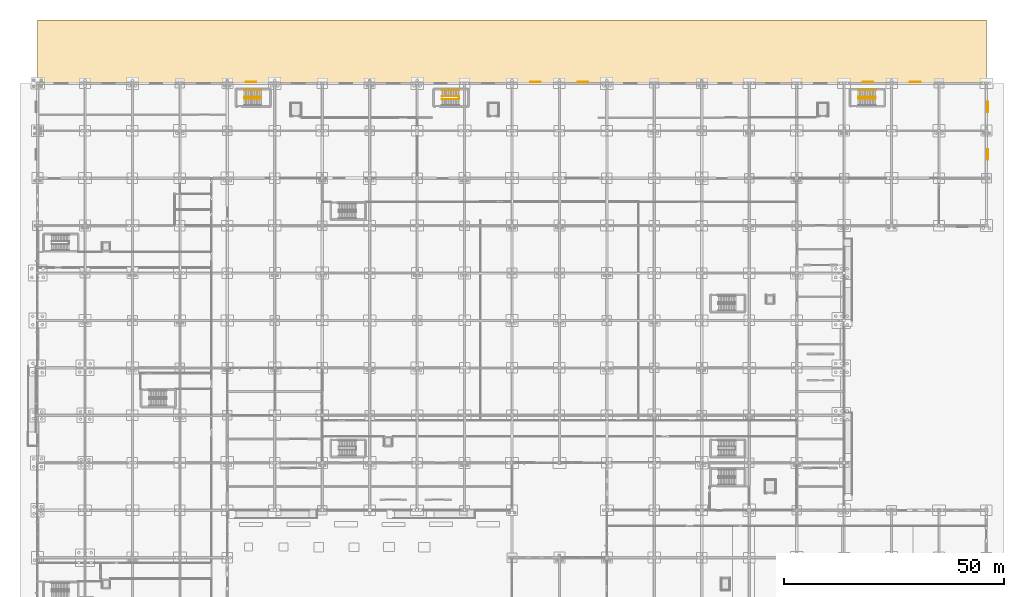
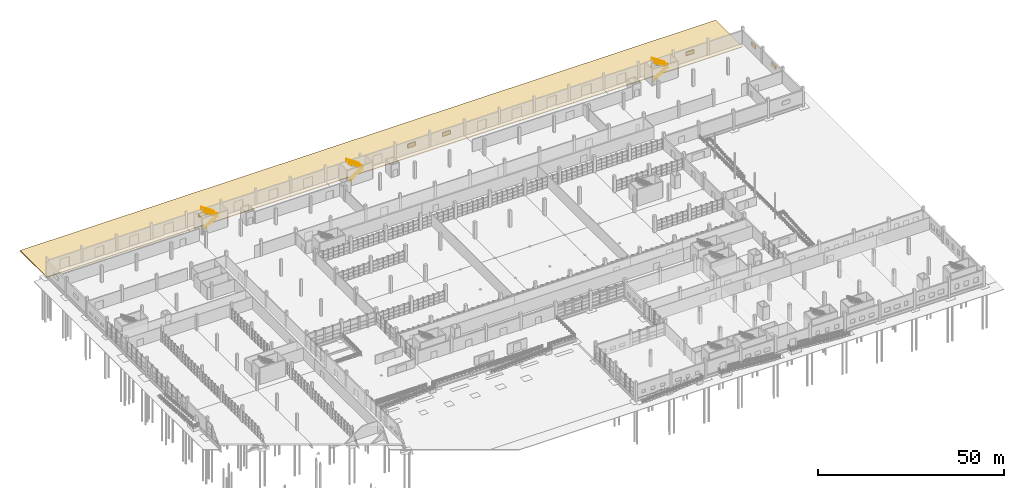
# One storey, part 137 of 138: 7 shading devices, 6 railings, 1 covering.
"""IFC4 building model written with IfcOpenShell, lengths in metres."""

from ifc_helpers import new_model, si_unit, direction, frame, origin, origin_2d, place, context, subcontext, project, spatial, polyline, rectangle, circle, outline, extrude, material, layer, layer_set, type_object, element, save


model = new_model("IFC4")

# Units and contexts
model_context = context("Model", 3, precision=1e-05, world=origin(), true_north=direction((0.0, 1.0)))
body_context = subcontext(model_context, "Body", "Model", "MODEL_VIEW")
ifc_project = project(units=[si_unit("LENGTHUNIT", "METRE"), si_unit("AREAUNIT", "SQUARE_METRE"), si_unit("VOLUMEUNIT", "CUBIC_METRE"), si_unit("PLANEANGLEUNIT", "RADIAN"), si_unit("MASSUNIT", "GRAM", prefix="KILO")], contexts=[model_context])

# Site, building, storey
site_placement = place(None, origin())
site = spatial("IfcSite", under=ifc_project, at=site_placement, CompositionType="ELEMENT")
building_placement = place(site_placement, origin())
building = spatial("IfcBuilding", under=site, at=building_placement, Name="Zwinboog Wholesale Market", CompositionType="ELEMENT")
storey_placement = place(building_placement, origin())
storey = spatial("IfcBuildingStorey", under=building, at=storey_placement, Name="L00", CompositionType="ELEMENT", Elevation=0.0)

# Shading devices
ifc_material_1 = material(Name="Western red cedar timber", Category="wood")
shading_device_type = type_object("IfcShadingDeviceType", Name="SHD-LVR-CEDAR", PredefinedType="JALOUSIE", material=ifc_material_1)
for number, where, z_axis, x_axis, name in (
    (1, (48.60009765625, 129.907470703125, 1.7001953125), (0.0, 0.0, 1.0), (1.0, 0.0, 0.0), "LV-01 (SHD-LVR-03)"),
    (2, (113.39990234375, 129.907470703125, 1.7001953125), (0.0, 0.0, 1.0), (1.0, 0.0, 0.0), "LV-01 (SHD-LVR-04)"),
    (3, (124.199951171875, 129.907470703125, 1.7001953125), (0.0, 0.0, 1.0), (1.0, 0.0, 0.0), "LV-01 (SHD-LVR-05)"),
    (4, (189.0, 129.907470703125, 1.7001953125), (0.0, 0.0, 1.0), (1.0, 0.0, 0.0), "LV-01 (SHD-LVR-06)"),
    (5, (199.800048828125, 129.907470703125, 1.7001953125), (0.0, 0.0, 1.0), (1.0, 0.0, 0.0), "LV-01 (SHD-LVR-07)"),
    (6, (216.3076171875, 113.39990234375, 1.7001953125), (0.0, 0.0, 1.0), (0.0, 1.0, 0.0), "LV-01 (SHD-LVR-09)"),
    (7, (216.3076171875, 124.199951171875, 1.7001953125), (0.0, 0.0, 1.0), (0.0, 1.0, 0.0), "LV-01 (SHD-LVR-10)"),
):
    element("IfcShadingDevice", number, at=place(storey_placement, frame(where, z_axis=z_axis, x_axis=x_axis)), inside=storey, type_object=shading_device_type, Name=name, PredefinedType="JALOUSIE", context=body_context, shape_type="SweptSolid", body=[
        extrude(rectangle(XDim=2.39990234375, YDim=0.179931640625, at=origin_2d()), origin(), (0.0, 0.0, 1.0), 1.199951171875),
    ])

# Covering
ifc_material_2 = material(Name="Concrete C35/45", Category="concrete")
ifc_layer = layer(ifc_material_2, 0.219970703125)
ifc_layer_set = layer_set([ifc_layer], Name="Concrete C35/45")
covering_type = type_object("IfcCoveringType", Name="COV-YARD-PAVE", PredefinedType="FLOORING", material=ifc_layer_set)
covering_placement = place(storey_placement, frame((0.0, 0.0, -1.419921875)))
element("IfcCovering", 8, at=covering_placement, inside=storey, type_object=covering_type, Name="North HGV Truck Turning and Dock Apron", PredefinedType="FLOORING", context=body_context, shape_type="SweptSolid", body=[
    extrude(outline(polyline([(0.0, 129.60009765625), (216.0, 129.60009765625), (216.0, 144.0), (0.0, 144.0), (0.0, 129.60009765625)])), origin(), (0.0, 0.0, 1.0), 0.219970703125),
])

# Railings
ifc_material_3 = material(Name="Steel S355", Category="steel")
railing_type_1 = type_object("IfcRailingType", Name="RLT-INT-GUARD", PredefinedType="BALUSTRADE", material=ifc_material_3)
railing_1_placement = place(storey_placement, frame((47.02001953125, 126.06005859375, 0.179931640625)))
element("IfcRailing", 9, at=railing_1_placement, inside=storey, type_object=railing_type_1, Name="GR-02 (RLG-ST-03-G1)", PredefinedType="BALUSTRADE", context=body_context, shape_type="SweptSolid", body=[
    extrude(circle(Radius=0.02392578125, at=origin_2d()), frame((0.0, 0.0, 1.09619140625), z_axis=(0.841171666519, 0.0, 0.540768182723), x_axis=(0.0, 1.0, 0.0)), (0.0, 0.0, 1.0), 4.66015625),
    extrude(circle(Radius=0.02392578125, at=origin_2d()), frame((0.0, 0.0, 0.5361328125), z_axis=(0.841171666519, 0.0, 0.540768182723), x_axis=(0.0, 1.0, 0.0)), (0.0, 0.0, 1.0), 4.66015625),
    extrude(circle(Radius=0.02392578125, at=origin_2d()), frame((3.919921875, 0.0, 3.6162109375), z_axis=(0.0, 1.0, 0.0), x_axis=(-1.0, 0.0, 0.0)), (0.0, 0.0, 1.0), 0.47998046875),
    extrude(circle(Radius=0.02392578125, at=origin_2d()), frame((3.919921875, 0.0, 3.05615234375), z_axis=(0.0, 1.0, 0.0), x_axis=(-1.0, 0.0, 0.0)), (0.0, 0.0, 1.0), 0.47998046875),
    extrude(circle(Radius=0.02392578125, at=origin_2d()), frame((3.919921875, 0.47998046875, 3.6162109375), z_axis=(-0.823550731654, 0.0, 0.567242622158), x_axis=(0.0, -1.0, 0.0)), (0.0, 0.0, 1.0), 4.759765625),
    extrude(circle(Radius=0.02392578125, at=origin_2d()), frame((3.919921875, 0.47998046875, 3.05615234375), z_axis=(-0.823550731654, 0.0, 0.567242622158), x_axis=(0.0, -1.0, 0.0)), (0.0, 0.0, 1.0), 4.759765625),
    extrude(circle(Radius=0.02099609375, at=origin_2d()), origin(), (0.0, 0.0, 1.0), 1.072021484375),
    extrude(circle(Radius=0.02099609375, at=origin_2d()), frame((0.783935546875, 0.0, 0.50390625)), (0.0, 0.0, 1.0), 1.072021484375),
    extrude(circle(Radius=0.02099609375, at=origin_2d()), frame((1.56787109375, 0.0, 1.008056640625)), (0.0, 0.0, 1.0), 1.072021484375),
    extrude(circle(Radius=0.02099609375, at=origin_2d()), frame((2.35205078125, 0.0, 1.511962890625)), (0.0, 0.0, 1.0), 1.072021484375),
    extrude(circle(Radius=0.02099609375, at=origin_2d()), frame((3.135986328125, 0.0, 2.01611328125)), (0.0, 0.0, 1.0), 1.072021484375),
    extrude(circle(Radius=0.02099609375, at=origin_2d()), frame((3.919921875, 0.0, 2.52001953125)), (0.0, 0.0, 1.0), 1.072021484375),
    extrude(circle(Radius=0.02099609375, at=origin_2d()), frame((3.919921875, 0.47998046875, 2.52001953125)), (0.0, 0.0, 1.0), 1.072021484375),
    extrude(circle(Radius=0.02099609375, at=origin_2d()), frame((3.135986328125, 0.47998046875, 3.06005859375)), (0.0, 0.0, 1.0), 1.072021484375),
    extrude(circle(Radius=0.02099609375, at=origin_2d()), frame((2.35205078125, 0.47998046875, 3.60009765625)), (0.0, 0.0, 1.0), 1.072021484375),
    extrude(circle(Radius=0.02099609375, at=origin_2d()), frame((1.56787109375, 0.47998046875, 4.139892578125)), (0.0, 0.0, 1.0), 1.072021484375),
    extrude(circle(Radius=0.02099609375, at=origin_2d()), frame((0.783935546875, 0.47998046875, 4.679931640625)), (0.0, 0.0, 1.0), 1.072021484375),
    extrude(circle(Radius=0.02099609375, at=origin_2d()), frame((0.0, 0.47998046875, 5.219970703125)), (0.0, 0.0, 1.0), 1.072021484375),
])
railing_2_placement = place(storey_placement, frame((92.02001953125, 125.9599609375, 0.179931640625)))
element("IfcRailing", 10, at=railing_2_placement, inside=storey, type_object=railing_type_1, Name="GR-02 (RLG-ST-04-G1)", PredefinedType="BALUSTRADE", context=body_context, shape_type="SweptSolid", body=[
    extrude(circle(Radius=0.02392578125, at=origin_2d()), frame((0.0, 0.0, 1.09619140625), z_axis=(0.841171666519, 0.0, 0.540768182723), x_axis=(0.0, 1.0, 0.0)), (0.0, 0.0, 1.0), 4.66015625),
    extrude(circle(Radius=0.02392578125, at=origin_2d()), frame((0.0, 0.0, 0.5361328125), z_axis=(0.841171666519, 0.0, 0.540768182723), x_axis=(0.0, 1.0, 0.0)), (0.0, 0.0, 1.0), 4.66015625),
    extrude(circle(Radius=0.02392578125, at=origin_2d()), frame((3.919921875, 0.0, 3.6162109375), z_axis=(0.0, 1.0, 0.0), x_axis=(-1.0, 0.0, 0.0)), (0.0, 0.0, 1.0), 0.679931640625),
    extrude(circle(Radius=0.02392578125, at=origin_2d()), frame((3.919921875, 0.0, 3.05615234375), z_axis=(0.0, 1.0, 0.0), x_axis=(-1.0, 0.0, 0.0)), (0.0, 0.0, 1.0), 0.679931640625),
    extrude(circle(Radius=0.02392578125, at=origin_2d()), frame((3.919921875, 0.679931640625, 3.6162109375), z_axis=(-0.823550731654, 0.0, 0.567242622158), x_axis=(0.0, -1.0, 0.0)), (0.0, 0.0, 1.0), 4.759765625),
    extrude(circle(Radius=0.02392578125, at=origin_2d()), frame((3.919921875, 0.679931640625, 3.05615234375), z_axis=(-0.823550731654, 0.0, 0.567242622158), x_axis=(0.0, -1.0, 0.0)), (0.0, 0.0, 1.0), 4.759765625),
    extrude(circle(Radius=0.02099609375, at=origin_2d()), origin(), (0.0, 0.0, 1.0), 1.072021484375),
    extrude(circle(Radius=0.02099609375, at=origin_2d()), frame((0.783935546875, 0.0, 0.50390625)), (0.0, 0.0, 1.0), 1.072021484375),
    extrude(circle(Radius=0.02099609375, at=origin_2d()), frame((1.56787109375, 0.0, 1.008056640625)), (0.0, 0.0, 1.0), 1.072021484375),
    extrude(circle(Radius=0.02099609375, at=origin_2d()), frame((2.35205078125, 0.0, 1.511962890625)), (0.0, 0.0, 1.0), 1.072021484375),
    extrude(circle(Radius=0.02099609375, at=origin_2d()), frame((3.135986328125, 0.0, 2.01611328125)), (0.0, 0.0, 1.0), 1.072021484375),
    extrude(circle(Radius=0.02099609375, at=origin_2d()), frame((3.919921875, 0.0, 2.52001953125)), (0.0, 0.0, 1.0), 1.072021484375),
    extrude(circle(Radius=0.02099609375, at=origin_2d()), frame((3.919921875, 0.679931640625, 2.52001953125)), (0.0, 0.0, 1.0), 1.072021484375),
    extrude(circle(Radius=0.02099609375, at=origin_2d()), frame((3.135986328125, 0.679931640625, 3.06005859375)), (0.0, 0.0, 1.0), 1.072021484375),
    extrude(circle(Radius=0.02099609375, at=origin_2d()), frame((2.35205078125, 0.679931640625, 3.60009765625)), (0.0, 0.0, 1.0), 1.072021484375),
    extrude(circle(Radius=0.02099609375, at=origin_2d()), frame((1.56787109375, 0.679931640625, 4.139892578125)), (0.0, 0.0, 1.0), 1.072021484375),
    extrude(circle(Radius=0.02099609375, at=origin_2d()), frame((0.783935546875, 0.679931640625, 4.679931640625)), (0.0, 0.0, 1.0), 1.072021484375),
    extrude(circle(Radius=0.02099609375, at=origin_2d()), frame((0.0, 0.679931640625, 5.219970703125)), (0.0, 0.0, 1.0), 1.072021484375),
])
railing_3_placement = place(storey_placement, frame((186.820068359375, 126.06005859375, 0.179931640625)))
element("IfcRailing", 11, at=railing_3_placement, inside=storey, type_object=railing_type_1, Name="GR-02 (RLG-ST-05-G1)", PredefinedType="BALUSTRADE", context=body_context, shape_type="SweptSolid", body=[
    extrude(circle(Radius=0.02392578125, at=origin_2d()), frame((0.0, 0.0, 1.09619140625), z_axis=(0.841171666519, 0.0, 0.540768182723), x_axis=(0.0, 1.0, 0.0)), (0.0, 0.0, 1.0), 4.66015625),
    extrude(circle(Radius=0.02392578125, at=origin_2d()), frame((0.0, 0.0, 0.5361328125), z_axis=(0.841171666519, 0.0, 0.540768182723), x_axis=(0.0, 1.0, 0.0)), (0.0, 0.0, 1.0), 4.66015625),
    extrude(circle(Radius=0.02392578125, at=origin_2d()), frame((3.919921875, 0.0, 3.6162109375), z_axis=(0.0, 1.0, 0.0), x_axis=(-1.0, 0.0, 0.0)), (0.0, 0.0, 1.0), 0.47998046875),
    extrude(circle(Radius=0.02392578125, at=origin_2d()), frame((3.919921875, 0.0, 3.05615234375), z_axis=(0.0, 1.0, 0.0), x_axis=(-1.0, 0.0, 0.0)), (0.0, 0.0, 1.0), 0.47998046875),
    extrude(circle(Radius=0.02392578125, at=origin_2d()), frame((3.919921875, 0.47998046875, 3.6162109375), z_axis=(-0.823550731654, 0.0, 0.567242622158), x_axis=(0.0, -1.0, 0.0)), (0.0, 0.0, 1.0), 4.759765625),
    extrude(circle(Radius=0.02392578125, at=origin_2d()), frame((3.919921875, 0.47998046875, 3.05615234375), z_axis=(-0.823550731654, 0.0, 0.567242622158), x_axis=(0.0, -1.0, 0.0)), (0.0, 0.0, 1.0), 4.759765625),
    extrude(circle(Radius=0.02099609375, at=origin_2d()), origin(), (0.0, 0.0, 1.0), 1.072021484375),
    extrude(circle(Radius=0.02099609375, at=origin_2d()), frame((0.783935546875, 0.0, 0.50390625)), (0.0, 0.0, 1.0), 1.072021484375),
    extrude(circle(Radius=0.02099609375, at=origin_2d()), frame((1.56787109375, 0.0, 1.008056640625)), (0.0, 0.0, 1.0), 1.072021484375),
    extrude(circle(Radius=0.02099609375, at=origin_2d()), frame((2.35205078125, 0.0, 1.511962890625)), (0.0, 0.0, 1.0), 1.072021484375),
    extrude(circle(Radius=0.02099609375, at=origin_2d()), frame((3.135986328125, 0.0, 2.01611328125)), (0.0, 0.0, 1.0), 1.072021484375),
    extrude(circle(Radius=0.02099609375, at=origin_2d()), frame((3.919921875, 0.0, 2.52001953125)), (0.0, 0.0, 1.0), 1.072021484375),
    extrude(circle(Radius=0.02099609375, at=origin_2d()), frame((3.919921875, 0.47998046875, 2.52001953125)), (0.0, 0.0, 1.0), 1.072021484375),
    extrude(circle(Radius=0.02099609375, at=origin_2d()), frame((3.135986328125, 0.47998046875, 3.06005859375)), (0.0, 0.0, 1.0), 1.072021484375),
    extrude(circle(Radius=0.02099609375, at=origin_2d()), frame((2.35205078125, 0.47998046875, 3.60009765625)), (0.0, 0.0, 1.0), 1.072021484375),
    extrude(circle(Radius=0.02099609375, at=origin_2d()), frame((1.56787109375, 0.47998046875, 4.139892578125)), (0.0, 0.0, 1.0), 1.072021484375),
    extrude(circle(Radius=0.02099609375, at=origin_2d()), frame((0.783935546875, 0.47998046875, 4.679931640625)), (0.0, 0.0, 1.0), 1.072021484375),
    extrude(circle(Radius=0.02099609375, at=origin_2d()), frame((0.0, 0.47998046875, 5.219970703125)), (0.0, 0.0, 1.0), 1.072021484375),
])
railing_type_2 = type_object("IfcRailingType", Name="RLT-HANDRAIL", PredefinedType="HANDRAIL", material=ifc_material_3)
for number, where, name in (
    (12, (50.93994140625, 127.989990234375, 2.8798828125), "HR-01 (RLG-ST-03-HR2)"),
    (13, (95.93994140625, 127.989990234375, 2.8798828125), "HR-01 (RLG-ST-04-HR2)"),
    (14, (190.739990234375, 127.989990234375, 2.8798828125), "HR-01 (RLG-ST-05-HR2)"),
):
    element("IfcRailing", number, at=place(storey_placement, frame(where)), inside=storey, type_object=railing_type_2, Name=name, PredefinedType="HANDRAIL", context=body_context, shape_type="SweptSolid", body=[
        extrude(circle(Radius=0.02392578125, at=origin_2d()), frame((0.0, 0.0, 0.8759765625), z_axis=(-0.841171666519, 0.0, 0.540768182723), x_axis=(0.0, -1.0, 0.0)), (0.0, 0.0, 1.0), 4.66015625),
        extrude(circle(Radius=0.02099609375, at=origin_2d()), origin(), (0.0, 0.0, 1.0), 0.851806640625),
        extrude(circle(Radius=0.02099609375, at=origin_2d()), frame((-0.97998046875, 0.0, 0.6298828125)), (0.0, 0.0, 1.0), 0.851806640625),
        extrude(circle(Radius=0.02099609375, at=origin_2d()), frame((-1.9599609375, 0.0, 1.260009765625)), (0.0, 0.0, 1.0), 0.851806640625),
        extrude(circle(Radius=0.02099609375, at=origin_2d()), frame((-2.93994140625, 0.0, 1.89013671875)), (0.0, 0.0, 1.0), 0.851806640625),
        extrude(circle(Radius=0.02099609375, at=origin_2d()), frame((-3.919921875, 0.0, 2.52001953125)), (0.0, 0.0, 1.0), 0.851806640625),
    ])

save(model, "model.ifc")
